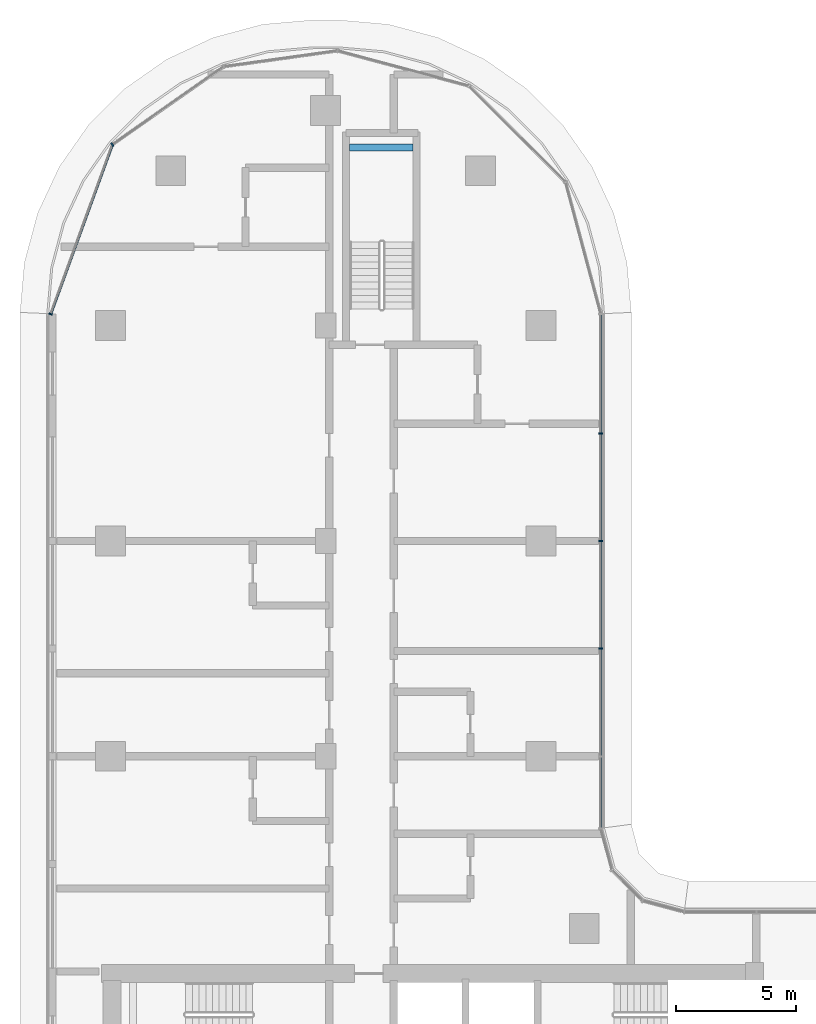
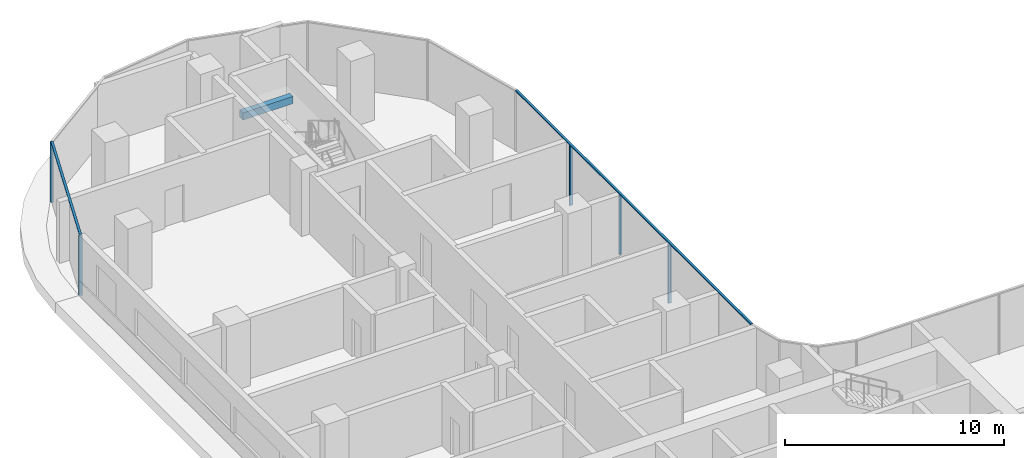
# One storey, part 6 of 25: 7 members, 1 beam, 2 elements without a shape of their own.
"""IFC4 building model written with IfcOpenShell, lengths in metres."""

import ifcopenshell
import ifcopenshell.guid

model = None  # the IFC model being written
_history = None  # IfcOwnerHistory: only IFC2X3 demands one
_inside = {}  # id of a spatial element -> (the spatial element, [elements in it])
_under = {}  # id of a project, library or spatial element -> (it, [spatial elements below it])
_declared = {}  # id of a project -> (the project, [libraries it declares])
_typed = {}  # id of a type object -> (the type object, [elements of that type])
_made_of = {}  # id of a material, layer set ... -> (it, [elements and type objects made of it])


def new_model(schema):
    """Start an empty IFC model of exactly this schema.

    Asked for "IFC4X3", IfcOpenShell would pick the latest addendum, in which some entities
    have other attributes; the version numbers below select the first issue.
    IFC2X3 requires an IfcOwnerHistory on every rooted entity: one is made here for all.
    """
    global model, _history
    if schema == "IFC4X3":
        model = ifcopenshell.file(schema_version=(4, 3, 0, 0))
    else:
        model = ifcopenshell.file(schema=schema)
    _inside.clear()
    _under.clear()
    _declared.clear()
    _typed.clear()
    _made_of.clear()
    _history = None
    if model.schema == "IFC2X3":
        org = make("IfcOrganization", Name="unknown")
        user = make(
            "IfcPersonAndOrganization",
            ThePerson=make("IfcPerson", FamilyName="unknown"),
            TheOrganization=org,
        )
        app = make(
            "IfcApplication",
            ApplicationDeveloper=org,
            Version="unknown",
            ApplicationFullName="unknown",
            ApplicationIdentifier="unknown",
        )
        _history = make(
            "IfcOwnerHistory",
            OwningUser=user,
            OwningApplication=app,
            ChangeAction="ADDED",
            CreationDate=0,
        )
    return model


def make(cls, **values):
    """One entity of the class cls with the attributes given. An attribute that is None is left unset."""
    return model.create_entity(
        cls, **{name: value for name, value in values.items() if value is not None}
    )


def rooted(cls, **values):
    """An entity with a GlobalId (a new one), such as an element, a storey or a relation."""
    return make(cls, GlobalId=ifcopenshell.guid.new(), OwnerHistory=_history, **values)


def si_unit(unit_type, name, prefix=None):
    """IfcSIUnit, for example si_unit("LENGTHUNIT", "METRE", prefix="MILLI")."""
    return make("IfcSIUnit", UnitType=unit_type, Prefix=prefix, Name=name)


def assignment(units):
    """IfcUnitAssignment: the units of a project."""
    return None if units is None else make("IfcUnitAssignment", Units=units)


def point(xyz):
    """IfcCartesianPoint."""
    return None if xyz is None else make("IfcCartesianPoint", Coordinates=xyz)


def direction(xyz):
    """IfcDirection."""
    return None if xyz is None else make("IfcDirection", DirectionRatios=xyz)


def frame(location, z_axis=None, x_axis=None):
    """IfcAxis2Placement3D, a coordinate frame: its origin and axes. An axis left out is left unset."""
    return make(
        "IfcAxis2Placement3D",
        Location=point(location),
        Axis=direction(z_axis),
        RefDirection=direction(x_axis),
    )


def frame_2d(location, x_axis=None):
    """IfcAxis2Placement2D, a coordinate frame in the plane: its origin and x axis."""
    return make(
        "IfcAxis2Placement2D", Location=point(location), RefDirection=direction(x_axis)
    )


def origin():
    """The frame at (0, 0, 0) with its axes left unset."""
    return frame((0.0, 0.0, 0.0))


def origin_2d():
    """The frame at (0, 0) in the plane with its x axis left unset."""
    return frame_2d((0.0, 0.0))


def place(relative_to, where):
    """IfcLocalPlacement: puts the frame where relative to a parent placement (None: the world)."""
    return make(
        "IfcLocalPlacement", PlacementRelTo=relative_to, RelativePlacement=where
    )


def context(
    kind, dimensions, precision=None, world=None, true_north=None, identifier=None
):
    """IfcGeometricRepresentationContext, for example the 3D "Model" context."""
    return make(
        "IfcGeometricRepresentationContext",
        ContextIdentifier=identifier,
        ContextType=kind,
        CoordinateSpaceDimension=dimensions,
        Precision=precision,
        WorldCoordinateSystem=world,
        TrueNorth=true_north,
    )


def subcontext(parent, identifier, kind, view, scale=None):
    """IfcGeometricRepresentationSubContext, for example "Body" below "Model"."""
    return make(
        "IfcGeometricRepresentationSubContext",
        ContextIdentifier=identifier,
        ContextType=kind,
        ParentContext=parent,
        TargetScale=scale,
        TargetView=view,
    )


def project(units=None, contexts=None):
    """IfcProject with its units and contexts."""
    return rooted(
        "IfcProject",
        Name="project",
        RepresentationContexts=contexts,
        UnitsInContext=assignment(units),
    )


def spatial(cls, under=None, at=None, **own):
    """A site, building, storey or space (cls), placed at a placement, below another one or the project."""
    s = rooted(cls, ObjectPlacement=at, **own)
    if under is not None:
        _under.setdefault(under.id(), (under, []))[1].append(s)
    return s


def profile(cls, at=None, kind="AREA", **sizes):
    """A parametric profile (cls). Its sizes go by their IFC names, for example OverallWidth=200.0."""
    return make(cls, ProfileType=kind, Position=at, **sizes)


def rectangle(**sizes):
    """IfcRectangleProfileDef."""
    return profile("IfcRectangleProfileDef", **sizes)


def extrude(swept, where, along, depth):
    """IfcExtrudedAreaSolid: the profile swept, set in the frame where, extruded along a direction by depth."""
    return make(
        "IfcExtrudedAreaSolid",
        SweptArea=swept,
        Position=where,
        ExtrudedDirection=direction(along),
        Depth=depth,
    )


def shape(context_of_items, identifier, shape_type, items):
    """IfcShapeRepresentation: the items that make up one representation, for example the "Body"."""
    return make(
        "IfcShapeRepresentation",
        ContextOfItems=context_of_items,
        RepresentationIdentifier=identifier,
        RepresentationType=shape_type,
        Items=items,
    )


def material(Name=None, Category=None):
    """IfcMaterial."""
    return make("IfcMaterial", Name=Name, Category=Category)


def material_profile(
    of_material, cross_section, Name=None, Category=None, Priority=None
):
    """IfcMaterialProfile: a cross section and its material."""
    return make(
        "IfcMaterialProfile",
        Name=Name,
        Material=of_material,
        Profile=cross_section,
        Priority=Priority,
        Category=Category,
    )


def profile_set(profiles, Name=None, composite=None):
    """IfcMaterialProfileSet."""
    return make(
        "IfcMaterialProfileSet",
        Name=Name,
        MaterialProfiles=profiles,
        CompositeProfile=composite,
    )


def made_of(thing, what):
    """Note that an element or type object is made of a material, layer set ...; save() writes the relation."""
    if what is not None:
        _made_of.setdefault(what.id(), (what, []))[1].append(thing)
    return thing


def type_object(cls, material=None, **own):
    """A type object (cls), such as IfcWallType, which elements share."""
    return made_of(rooted(cls, **own), material)


def element(
    cls,
    number,
    at=None,
    inside=None,
    cuts=None,
    type_object=None,
    material=None,
    context=None,
    identifier="Body",
    shape_type=None,
    held_by="IfcProductDefinitionShape",
    body=None,
    shapes=None,
    **own,
):
    """One element of the class cls, such as IfcWall. Its Tag is "e" and its number.

    at: its placement. inside: the storey or other place that contains it. cuts: it is an
    opening in that element (IfcRelVoidsElement). A single representation is given by context,
    identifier, shape_type and body (its items); several are given by shapes. held_by: the class
    of the entity that holds the representations. save() writes the other relations.
    """
    e = rooted(cls, Tag="e%d" % number, ObjectPlacement=at, **own)
    if body is not None:
        shapes = [shape(context, identifier, shape_type, body)]
    if shapes is not None:
        e.Representation = make(held_by, Representations=shapes)
    if inside is not None:
        _inside.setdefault(inside.id(), (inside, []))[1].append(e)
    if cuts is not None:
        rooted(
            "IfcRelVoidsElement", RelatingBuildingElement=cuts, RelatedOpeningElement=e
        )
    if type_object is not None:
        _typed.setdefault(type_object.id(), (type_object, []))[1].append(e)
    return made_of(e, material)


def aggregate(whole, parts):
    """IfcRelAggregates: a whole, such as a stair, and the parts it consists of."""
    return rooted("IfcRelAggregates", RelatingObject=whole, RelatedObjects=parts)


def save(model, path):
    """Write the relations noted so far, then the file.

    IfcRelAggregates (storeys below a building ...), IfcRelContainedInSpatialStructure (elements
    in a storey), IfcRelDefinesByType, IfcRelAssociatesMaterial and IfcRelDeclares: one each for
    every whole, place, type object, material and project.
    """
    for whole, parts in _under.values():
        aggregate(whole, parts)
    for where, things in _inside.values():
        rooted(
            "IfcRelContainedInSpatialStructure",
            RelatedElements=things,
            RelatingStructure=where,
        )
    for kind, things in _typed.values():
        rooted("IfcRelDefinesByType", RelatedObjects=things, RelatingType=kind)
    for what, things in _made_of.values():
        rooted("IfcRelAssociatesMaterial", RelatedObjects=things, RelatingMaterial=what)
    for by, libraries in _declared.values():
        rooted("IfcRelDeclares", RelatingContext=by, RelatedDefinitions=libraries)
    model.write(path)


model = new_model("IFC4")

# Units and contexts
model_context = context("Model", 3, precision=1e-05, world=origin(), true_north=direction((0.0, 1.0)))
body_context = subcontext(model_context, "Body", "Model", "MODEL_VIEW")
ifc_project = project(units=[si_unit("LENGTHUNIT", "METRE"), si_unit("AREAUNIT", "SQUARE_METRE"), si_unit("VOLUMEUNIT", "CUBIC_METRE"), si_unit("PLANEANGLEUNIT", "RADIAN"), si_unit("MASSUNIT", "GRAM", prefix="KILO")], contexts=[model_context])

# Site, building, storey
site_placement = place(None, origin())
site = spatial("IfcSite", under=ifc_project, at=site_placement, CompositionType="ELEMENT")
building_placement = place(site_placement, origin())
building = spatial("IfcBuilding", under=site, at=building_placement, Name="Ogive Portal Towers", CompositionType="ELEMENT")
storey_placement = place(building_placement, frame((0.0, 0.0, 116.699951171875)))
storey = spatial("IfcBuildingStorey", under=building, at=storey_placement, Name="L28", CompositionType="ELEMENT", Elevation=116.699951171875)

# Beam
ifc_material_1 = material(Name="Concrete C40/50", Category="concrete")
ifc_material_profile_1 = material_profile(ifc_material_1, rectangle(XDim=0.300048828125, YDim=0.39990234375, at=origin_2d()), Name="RC 300x400")
ifc_profile_set_1 = profile_set([ifc_material_profile_1], Name="Concrete C40/50")
beam_type = type_object("IfcBeamType", Name="BEAM RC 300x400", PredefinedType="BEAM", material=ifc_profile_set_1)
beam_placement = place(storey_placement, frame((41.5, 73.949951171875, 1.449951171875), z_axis=(1.0, 0.0, 0.0), x_axis=(0.0, 1.0, 0.0)))
element("IfcBeam", 1, at=beam_placement, inside=storey, type_object=beam_type, Name="Landing beam L28", PredefinedType="BEAM", context=body_context, shape_type="SweptSolid", body=[
    extrude(rectangle(XDim=0.300048828125, YDim=0.39990234375, at=origin_2d()), origin(), (0.0, 0.0, 1.0), 2.64990234375),
])

# Curtain wall, members
ifc_material_2 = material(Name="Glass, clear low-iron insulated glazing", Category="glass")
curtain_wall_type = type_object("IfcCurtainWallType", Name="CW FRONT RIBBON 4500", PredefinedType="NOTDEFINED", material=ifc_material_2)
curtain_wall_1_placement = place(storey_placement, origin())
curtain_wall_1 = element("IfcCurtainWall", 2, at=curtain_wall_1_placement, inside=storey, type_object=curtain_wall_type, Name="A:L28:f20:cw0", PredefinedType="NOTDEFINED")
ifc_material_3 = material(Name="Aluminium 6063 anodised", Category="aluminium")
ifc_material_profile_2 = material_profile(ifc_material_3, rectangle(XDim=0.159912109375, YDim=0.06005859375, at=origin_2d()), Name="AL 60x160")
ifc_profile_set_2 = profile_set([ifc_material_profile_2], Name="Aluminium 6063 anodised")
member_type_1 = type_object("IfcMemberType", Name="CW MULLION 60x160", PredefinedType="MULLION", material=ifc_profile_set_2)
member_1_placement = place(storey_placement, frame((51.9951171875, 53.0, 0.0), z_axis=(0.0, 0.0, 1.0), x_axis=(-1.0, 0.0, 0.0)))
member_1 = element("IfcMember", 3, at=member_1_placement, type_object=member_type_1, Name="mullion", PredefinedType="MULLION", context=body_context, shape_type="SweptSolid", body=[
    extrude(rectangle(XDim=0.159912109375, YDim=0.06005859375, at=origin_2d()), origin(), (0.0, 0.0, 1.0), 3.340087890625),
])
member_2_placement = place(storey_placement, frame((51.9951171875, 57.5, 0.0), z_axis=(0.0, 0.0, 1.0), x_axis=(-1.0, 0.0, 0.0)))
member_2 = element("IfcMember", 4, at=member_2_placement, type_object=member_type_1, Name="mullion", PredefinedType="MULLION", context=body_context, shape_type="SweptSolid", body=[
    extrude(rectangle(XDim=0.159912109375, YDim=0.06005859375, at=origin_2d()), origin(), (0.0, 0.0, 1.0), 3.340087890625),
])
member_3_placement = place(storey_placement, frame((51.9951171875, 62.0, 0.0), z_axis=(0.0, 0.0, 1.0), x_axis=(-1.0, 0.0, 0.0)))
member_3 = element("IfcMember", 5, at=member_3_placement, type_object=member_type_1, Name="mullion", PredefinedType="MULLION", context=body_context, shape_type="SweptSolid", body=[
    extrude(rectangle(XDim=0.159912109375, YDim=0.06005859375, at=origin_2d()), origin(), (0.0, 0.0, 1.0), 3.340087890625),
])

curtain_wall_2_placement = place(storey_placement, origin())
curtain_wall_2 = element("IfcCurtainWall", 6, at=curtain_wall_2_placement, inside=storey, type_object=curtain_wall_type, Name="A:L28:f21:cwa", PredefinedType="NOTDEFINED")
member_4_placement = place(storey_placement, frame((31.58251953125, 74.06787109375, 0.0), z_axis=(0.0, 0.0, 1.0), x_axis=(0.573576436351, -0.819152044289, 0.0)))
member_4 = element("IfcMember", 7, at=member_4_placement, type_object=member_type_1, Name="mullion", PredefinedType="MULLION", context=body_context, shape_type="SweptSolid", body=[
    extrude(rectangle(XDim=0.159912109375, YDim=0.06005859375, at=origin_2d()), origin(), (0.0, 0.0, 1.0), 3.340087890625),
])
member_5_placement = place(storey_placement, frame((29.0048828125, 66.98583984375, 0.0), z_axis=(0.0, 0.0, 1.0), x_axis=(0.939692620786, -0.342020143326, 0.0)))
member_5 = element("IfcMember", 8, at=member_5_placement, type_object=member_type_1, Name="mullion", PredefinedType="MULLION", context=body_context, shape_type="SweptSolid", body=[
    extrude(rectangle(XDim=0.159912109375, YDim=0.06005859375, at=origin_2d()), origin(), (0.0, 0.0, 1.0), 3.340087890625),
])

# Member
ifc_material_profile_3 = material_profile(ifc_material_3, rectangle(XDim=0.1201171875, YDim=0.06005859375, at=origin_2d()), Name="AL 120x60")
ifc_profile_set_3 = profile_set([ifc_material_profile_3], Name="Aluminium 6063 anodised")
member_type_2 = type_object("IfcMemberType", Name="CW TRANSOM 60x120", PredefinedType="USERDEFINED", material=ifc_profile_set_3)
member_6_placement = place(storey_placement, frame((51.9951171875, 45.489501953125, 3.3701171875), z_axis=(0.0, 1.0, 0.0), x_axis=(-1.0, 0.0, 0.0)))
member_6 = element("IfcMember", 9, at=member_6_placement, type_object=member_type_2, Name="transom", ObjectType="TRANSOM", PredefinedType="USERDEFINED", context=body_context, shape_type="SweptSolid", body=[
    extrude(rectangle(XDim=0.1201171875, YDim=0.06005859375, at=origin_2d()), origin(), (0.0, 0.0, 1.0), 21.5),
])

aggregate(curtain_wall_1, [member_6, member_1, member_2, member_3])

member_7_placement = place(storey_placement, frame((31.58251953125, 74.06787109375, 3.3701171875), z_axis=(-0.342018754399, -0.939693126313, 0.0), x_axis=(0.939693126313, -0.342018754399, 0.0)))
member_7 = element("IfcMember", 10, at=member_7_placement, type_object=member_type_2, Name="transom", ObjectType="TRANSOM", PredefinedType="USERDEFINED", context=body_context, shape_type="SweptSolid", body=[
    extrude(rectangle(XDim=0.1201171875, YDim=0.06005859375, at=origin_2d()), origin(), (0.0, 0.0, 1.0), 7.53662109375),
])

aggregate(curtain_wall_2, [member_7, member_4, member_5])

save(model, "model.ifc")
